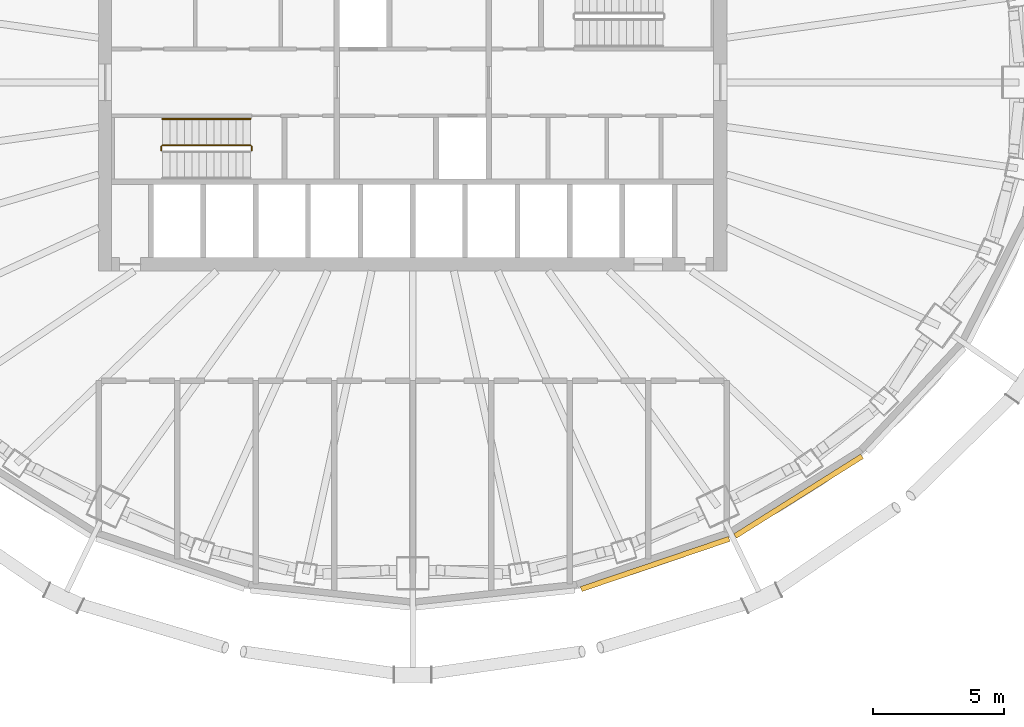
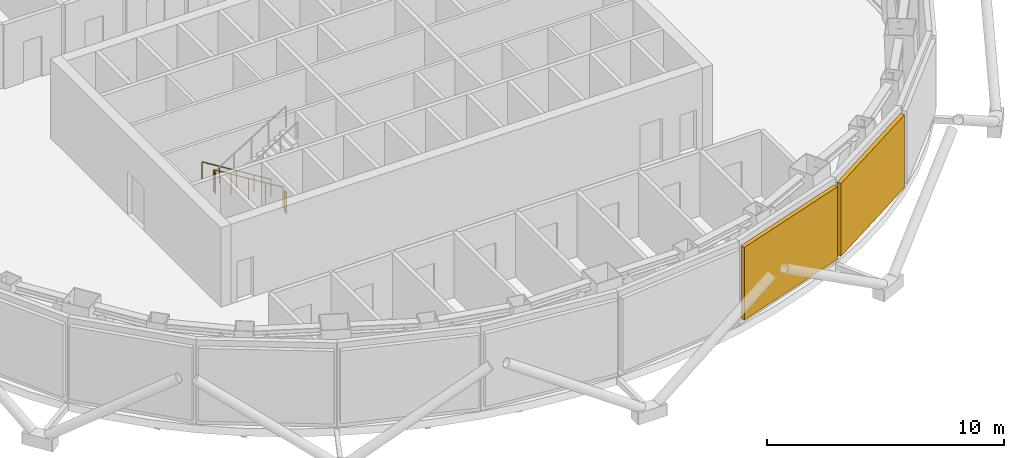
# One storey, part 14 of 16: 4 railings, 2 shading devices.
"""IFC4 building model written with IfcOpenShell, lengths in metres."""

from ifc_helpers import new_model, si_unit, direction, frame, origin, origin_2d, place, context, subcontext, project, spatial, rectangle, circle, extrude, material, layer, layer_set, type_object, element, save


model = new_model("IFC4")

# Units and contexts
model_context = context("Model", 3, precision=1e-05, world=origin(), true_north=direction((0.0, 1.0)))
body_context = subcontext(model_context, "Body", "Model", "MODEL_VIEW")
ifc_project = project(units=[si_unit("LENGTHUNIT", "METRE"), si_unit("AREAUNIT", "SQUARE_METRE"), si_unit("VOLUMEUNIT", "CUBIC_METRE"), si_unit("PLANEANGLEUNIT", "RADIAN"), si_unit("MASSUNIT", "GRAM", prefix="KILO")], contexts=[model_context])

# Site, building, storey
site_placement = place(None, origin())
site = spatial("IfcSite", under=ifc_project, at=site_placement, CompositionType="ELEMENT")
building_placement = place(site_placement, origin())
building = spatial("IfcBuilding", under=site, at=building_placement, Name="Siaravel Broadcast Tower", CompositionType="ELEMENT")
storey_placement = place(building_placement, frame((0.0, 0.0, 152.60009765625)))
storey = spatial("IfcBuildingStorey", under=building, at=storey_placement, Name="L36", CompositionType="ELEMENT", Elevation=152.60009765625)

# Shading devices
ifc_material_1 = material(Name="Bronze anodised aluminium", Category="aluminium")
ifc_layer = layer(ifc_material_1, 0.199951171875)
ifc_layer_set = layer_set([ifc_layer], Name="Bronze anodised aluminium")
shading_device_type = type_object("IfcShadingDeviceType", Name="Plant louvre bank", PredefinedType="USERDEFINED", material=ifc_layer_set)
shading_device_1_placement = place(storey_placement, frame((9.262939453125, -18.402099609375, 0.2998046875), z_axis=(0.0, 0.0, 1.0), x_axis=(0.946977245, 0.321300635, 0.0)))
element("IfcShadingDevice", 1, at=shading_device_1_placement, inside=storey, type_object=shading_device_type, Name="L36 plant louvre bank 20", ObjectType="LOUVRE", PredefinedType="USERDEFINED", context=body_context, shape_type="SweptSolid", body=[
    extrude(rectangle(XDim=5.97021484375, YDim=0.199951171875, at=origin_2d()), origin(), (0.0, 0.0, 1.0), 3.75),
])
shading_device_2_placement = place(storey_placement, frame((14.74072265625, -15.811279296875, 0.2998046875), z_axis=(0.0, 0.0, 1.0), x_axis=(0.846650436, 0.532149452, 0.0)))
element("IfcShadingDevice", 2, at=shading_device_2_placement, inside=storey, type_object=shading_device_type, Name="L36 plant louvre bank 21", ObjectType="LOUVRE", PredefinedType="USERDEFINED", context=body_context, shape_type="SweptSolid", body=[
    extrude(rectangle(XDim=5.727783203125, YDim=0.199951171875, at=origin_2d()), origin(), (0.0, 0.0, 1.0), 3.75),
])

# Railings
ifc_material_2 = material(Name="Stainless steel 316L", Category="steel")
railing_type_1 = type_object("IfcRailingType", Name="Stair guard 1100", PredefinedType="GUARDRAIL", material=ifc_material_2)
railing_1_placement = place(storey_placement, frame((-6.199951171875, -2.39990234375, 0.173095703125)))
element("IfcRailing", 3, at=railing_1_placement, inside=storey, type_object=railing_type_1, Name="L36 ST-1 stair guard 1", PredefinedType="GUARDRAIL", context=body_context, shape_type="SweptSolid", body=[
    extrude(circle(Radius=0.02392578125, at=origin_2d()), frame((0.0, 0.0, 1.076171875), z_axis=(-0.850623217, 0.0, 0.525775754), x_axis=(0.0, -1.0, 0.0)), (0.0, 0.0, 1.0), 3.9501953125),
    extrude(circle(Radius=0.02099609375, at=origin_2d()), origin(), (0.0, 0.0, 1.0), 1.052001953125),
    extrude(circle(Radius=0.02099609375, at=origin_2d()), frame((-0.840087890625, 0.0, 0.519287109375)), (0.0, 0.0, 1.0), 1.052001953125),
    extrude(circle(Radius=0.02099609375, at=origin_2d()), frame((-1.68017578125, 0.0, 1.03857421875)), (0.0, 0.0, 1.0), 1.052001953125),
    extrude(circle(Radius=0.02099609375, at=origin_2d()), frame((-2.52001953125, 0.0, 1.5576171875)), (0.0, 0.0, 1.0), 1.052001953125),
    extrude(circle(Radius=0.02099609375, at=origin_2d()), frame((-3.360107421875, 0.0, 2.076904296875)), (0.0, 0.0, 1.0), 1.052001953125),
])
for number, where, name in (
    (4, (-9.610107421875, -2.449951171875, 2.25), "L36 ST-1 stair guard 2"),
    (5, (-6.14990234375, -2.449951171875, 0.0), "L36 ST-1 stair guard 4"),
):
    element("IfcRailing", number, at=place(storey_placement, frame(where)), inside=storey, type_object=railing_type_1, Name=name, PredefinedType="GUARDRAIL", context=body_context, shape_type="SweptSolid", body=[
        extrude(circle(Radius=0.02392578125, at=origin_2d()), frame((0.0, 0.0, 1.076171875), z_axis=(0.0, -1.0, 0.0), x_axis=(1.0, 0.0, 0.0)), (0.0, 0.0, 1.0), 0.150146484375),
        extrude(circle(Radius=0.02099609375, at=origin_2d()), origin(), (0.0, 0.0, 1.0), 1.052001953125),
        extrude(circle(Radius=0.02099609375, at=origin_2d()), frame((0.0, -0.150146484375, 0.0)), (0.0, 0.0, 1.0), 1.052001953125),
    ])
railing_type_2 = type_object("IfcRailingType", Name="Stair handrail 900", PredefinedType="HANDRAIL", material=ifc_material_2)
railing_2_placement = place(storey_placement, frame((-6.199951171875, -1.39990234375, 0.173095703125)))
element("IfcRailing", 6, at=railing_2_placement, inside=storey, type_object=railing_type_2, Name="L36 ST-1 stair handrail 1", PredefinedType="HANDRAIL", context=body_context, shape_type="SweptSolid", body=[
    extrude(circle(Radius=0.02392578125, at=origin_2d()), frame((0.0, 0.0, 0.8759765625), z_axis=(-0.850623217, 0.0, 0.525775754), x_axis=(0.0, -1.0, 0.0)), (0.0, 0.0, 1.0), 3.9501953125),
    extrude(circle(Radius=0.02099609375, at=origin_2d()), origin(), (0.0, 0.0, 1.0), 0.851806640625),
    extrude(circle(Radius=0.02099609375, at=origin_2d()), frame((-0.840087890625, 0.0, 0.519287109375)), (0.0, 0.0, 1.0), 0.851806640625),
    extrude(circle(Radius=0.02099609375, at=origin_2d()), frame((-1.68017578125, 0.0, 1.03857421875)), (0.0, 0.0, 1.0), 0.851806640625),
    extrude(circle(Radius=0.02099609375, at=origin_2d()), frame((-2.52001953125, 0.0, 1.5576171875)), (0.0, 0.0, 1.0), 0.851806640625),
    extrude(circle(Radius=0.02099609375, at=origin_2d()), frame((-3.360107421875, 0.0, 2.076904296875)), (0.0, 0.0, 1.0), 0.851806640625),
])

save(model, "model.ifc")
